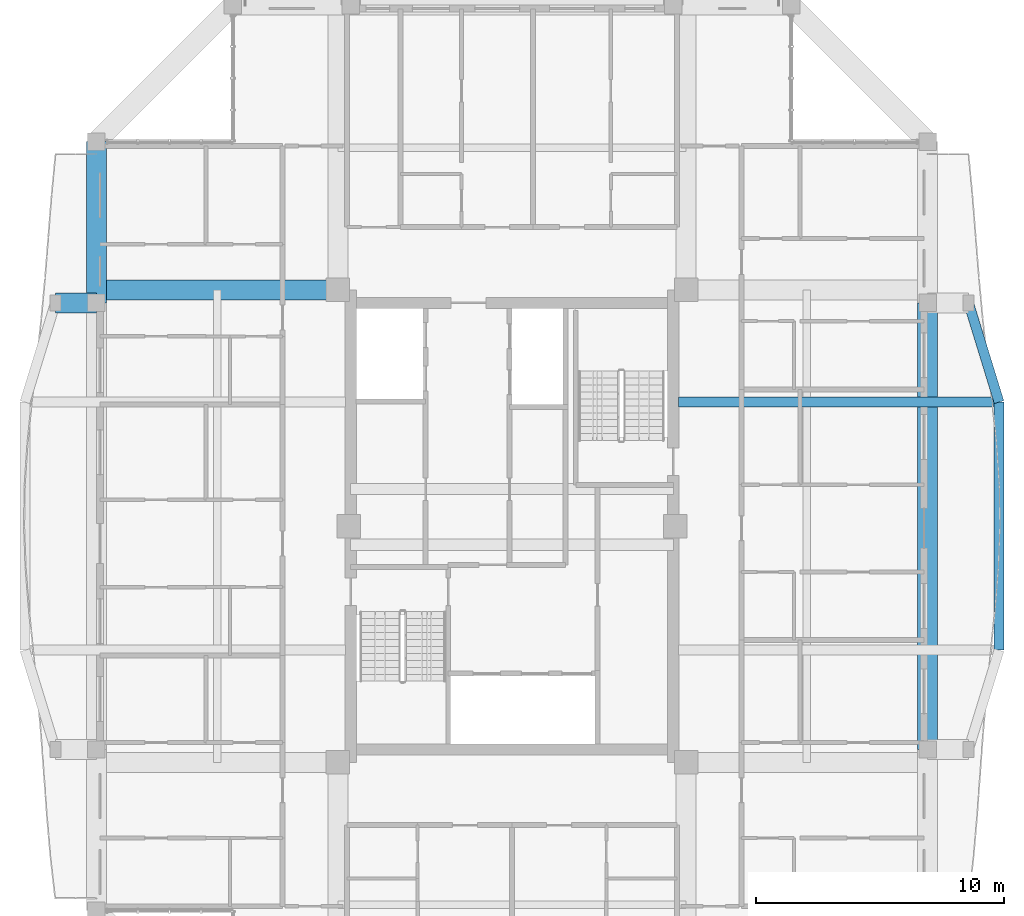
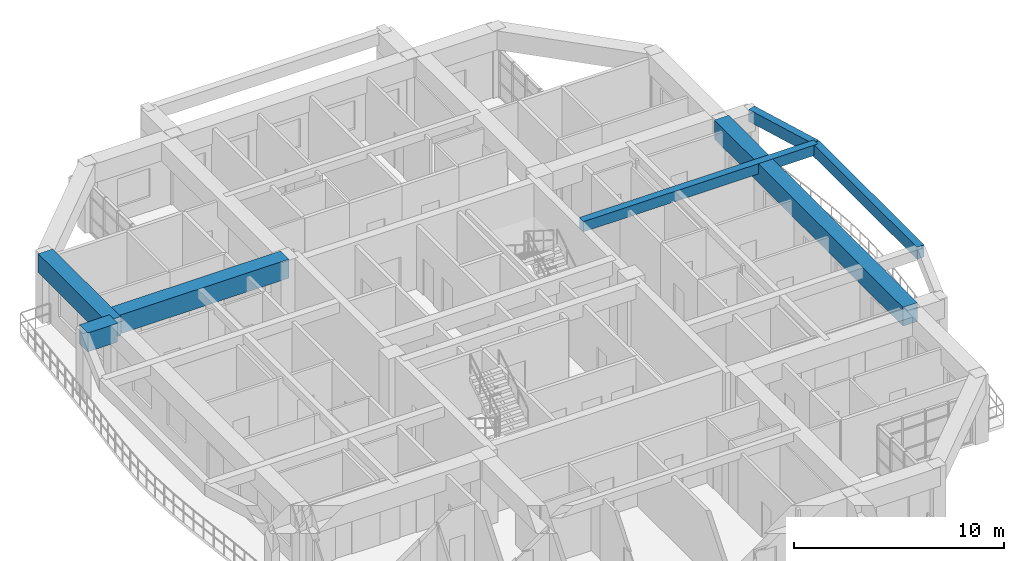
# One storey, part 7 of 27: 7 beams.
"""IFC4 building model written with IfcOpenShell, lengths in metres."""

from ifc_helpers import new_model, si_unit, direction, frame, origin, origin_2d, place, context, subcontext, project, spatial, rectangle, extrude, source, transform, mapped, material, material_profile, profile_set, type_object, element, save


model = new_model("IFC4")

# Units and contexts
model_context = context("Model", 3, precision=1e-05, world=origin(), true_north=direction((0.0, 1.0)))
body_context = subcontext(model_context, "Body", "Model", "MODEL_VIEW")
ifc_project = project(units=[si_unit("LENGTHUNIT", "METRE"), si_unit("AREAUNIT", "SQUARE_METRE"), si_unit("VOLUMEUNIT", "CUBIC_METRE"), si_unit("PLANEANGLEUNIT", "RADIAN"), si_unit("MASSUNIT", "GRAM", prefix="KILO")], contexts=[model_context])

# Site, building, storey
site_placement = place(None, origin())
site = spatial("IfcSite", under=ifc_project, at=site_placement, CompositionType="ELEMENT")
building_placement = place(site_placement, origin())
building = spatial("IfcBuilding", under=site, at=building_placement, Name="Saelheon Loggia Tower", CompositionType="ELEMENT")
storey_placement = place(building_placement, frame((0.0, 0.0, 226.199951171875)))
storey = spatial("IfcBuildingStorey", under=building, at=storey_placement, Name="L70", CompositionType="ELEMENT", Elevation=226.199951171875)

# Beams
ifc_material_1 = material(Name="Concrete C50/60", Category="concrete")
ifc_material_profile_1 = material_profile(ifc_material_1, rectangle(XDim=0.800048828125, YDim=1.10009765625, at=origin_2d()), Name="RC-800x1100")
ifc_profile_set_1 = profile_set([ifc_material_profile_1], Name="Concrete C50/60")
beam_type_1 = type_object("IfcBeamType", Name="Beam_PerimSetback_RC800x1100", PredefinedType="BEAM", material=ifc_profile_set_1)
shared_shape_1 = source(origin(), body_context, "Body", "SweptSolid", [
    extrude(rectangle(XDim=0.800048828125, YDim=1.10009765625, at=origin_2d()), origin(), (0.0, 0.0, 1.0), 18.0),
])
beam_1_placement = place(storey_placement, frame((54.75, 18.0, 3.35009765625), z_axis=(0.0, 1.0, 0.0), x_axis=(-1.0, 0.0, 0.0)))
element("IfcBeam", 1, at=beam_1_placement, inside=storey, type_object=beam_type_1, Name="L70 Perimeter Frame Girder 06", PredefinedType="BEAM", context=body_context, shape_type="MappedRepresentation", body=[
    mapped(shared_shape_1, transform((0.0, 0.0, 0.0), scale=1.0)),
])
shared_shape_2 = source(origin(), body_context, "Body", "SweptSolid", [
    extrude(rectangle(XDim=0.800048828125, YDim=1.10009765625, at=origin_2d()), origin(), (0.0, 0.0, 1.0), 1.64990234375),
])
beam_2_placement = place(storey_placement, frame((21.25, 36.0, 3.35009765625), z_axis=(-1.0, 0.0, 0.0), x_axis=(0.0, -1.0, 0.0)))
element("IfcBeam", 2, at=beam_2_placement, inside=storey, type_object=beam_type_1, Name="L70 Loggia Frame Tie Beam LP-W2", PredefinedType="BEAM", context=body_context, shape_type="MappedRepresentation", body=[
    mapped(shared_shape_2, transform((0.0, 0.0, 0.0), scale=1.0)),
])
ifc_material_2 = material(Name="Precast Concrete C45/55", Category="concrete")
ifc_material_profile_2 = material_profile(ifc_material_2, rectangle(XDim=0.39990234375, YDim=0.699951171875, at=origin_2d()), Name="RC-400x700")
ifc_profile_set_2 = profile_set([ifc_material_profile_2], Name="Precast Concrete C45/55")
beam_type_2 = type_object("IfcBeamType", Name="Beam_LoggiaSpandrel_RC400x700", PredefinedType="SPANDREL", material=ifc_profile_set_2)
shared_shape_3 = source(origin(), body_context, "Body", "SweptSolid", [
    extrude(rectangle(XDim=0.39990234375, YDim=0.699951171875, at=origin_2d()), origin(), (0.0, 0.0, 1.0), 4.184814453125),
])
beam_3_placement = place(storey_placement, frame((57.6298828125, 32.0, 3.550048828125), z_axis=(-0.293913664135, 0.955831971653, 0.0), x_axis=(-0.955831971653, -0.293913664135, 0.0)))
element("IfcBeam", 3, at=beam_3_placement, inside=storey, type_object=beam_type_2, Name="L70 Curved Loggia Spandrel E 3", PredefinedType="SPANDREL", context=body_context, shape_type="MappedRepresentation", body=[
    mapped(shared_shape_3, transform((0.0, 0.0, 0.0), scale=1.0)),
])
shared_shape_4 = source(origin(), body_context, "Body", "SweptSolid", [
    extrude(rectangle(XDim=0.39990234375, YDim=0.699951171875, at=origin_2d()), origin(), (0.0, 0.0, 1.0), 10.0),
])
beam_4_placement = place(storey_placement, frame((57.6298828125, 22.0, 3.550048828125), z_axis=(0.0, 1.0, 0.0), x_axis=(-1.0, 0.0, 0.0)))
element("IfcBeam", 4, at=beam_4_placement, inside=storey, type_object=beam_type_2, Name="L70 Curved Loggia Spandrel E 2", PredefinedType="SPANDREL", context=body_context, shape_type="MappedRepresentation", body=[
    mapped(shared_shape_4, transform((0.0, 0.0, 0.0), scale=1.0)),
])
shared_shape_5 = source(origin(), body_context, "Body", "SweptSolid", [
    extrude(rectangle(XDim=0.800048828125, YDim=1.10009765625, at=origin_2d()), origin(), (0.0, 0.0, 1.0), 6.5),
])
beam_5_placement = place(storey_placement, frame((21.25, 42.5, 3.35009765625), z_axis=(0.0, -1.0, 0.0), x_axis=(1.0, 0.0, 0.0)))
element("IfcBeam", 5, at=beam_5_placement, inside=storey, type_object=beam_type_1, Name="L70 Perimeter Frame Girder 13", PredefinedType="BEAM", context=body_context, shape_type="MappedRepresentation", body=[
    mapped(shared_shape_5, transform((0.0, 0.0, 0.0), scale=1.0)),
])
ifc_material_profile_3 = material_profile(ifc_material_2, rectangle(XDim=0.39990234375, YDim=0.60009765625, at=origin_2d()), Name="RC-400x600")
ifc_profile_set_3 = profile_set([ifc_material_profile_3], Name="Precast Concrete C45/55")
beam_type_3 = type_object("IfcBeamType", Name="Beam_LoggiaTie_RC400x600", PredefinedType="BEAM", material=ifc_profile_set_3)
shared_shape_6 = source(origin(), body_context, "Body", "SweptSolid", [
    extrude(rectangle(XDim=0.39990234375, YDim=0.60009765625, at=origin_2d()), origin(), (0.0, 0.0, 1.0), 12.909912109375),
])
beam_6_placement = place(storey_placement, frame((44.719970703125, 32.0, 3.60009765625), z_axis=(1.0, 0.0, 0.0), x_axis=(0.0, 1.0, 0.0)))
element("IfcBeam", 6, at=beam_6_placement, inside=storey, type_object=beam_type_3, Name="L70 Curved Facade Outrigger Beam E 2", PredefinedType="BEAM", context=body_context, shape_type="MappedRepresentation", body=[
    mapped(shared_shape_6, transform((0.0, 0.0, 0.0), scale=1.0)),
])
ifc_material_profile_4 = material_profile(ifc_material_1, rectangle(XDim=0.800048828125, YDim=1.10009765625, at=origin_2d()), Name="RC-800x1100")
ifc_profile_set_4 = profile_set([ifc_material_profile_4], Name="Concrete C50/60")
beam_type_4 = type_object("IfcBeamType", Name="Beam_SetbackTransfer_RC800x1100", PredefinedType="BEAM", material=ifc_profile_set_4)
shared_shape_7 = source(origin(), body_context, "Body", "SweptSolid", [
    extrude(rectangle(XDim=0.800048828125, YDim=1.10009765625, at=origin_2d()), origin(), (0.0, 0.0, 1.0), 9.72998046875),
])
beam_7_placement = place(storey_placement, frame((30.97998046875, 36.52001953125, 3.35009765625), z_axis=(-1.0, 0.0, 0.0), x_axis=(0.0, -1.0, 0.0)))
element("IfcBeam", 7, at=beam_7_placement, inside=storey, type_object=beam_type_4, Name="L70 Radial Floor Girder RAD-NW-W", PredefinedType="BEAM", context=body_context, shape_type="MappedRepresentation", body=[
    mapped(shared_shape_7, transform((0.0, 0.0, 0.0), scale=1.0)),
])

save(model, "model.ifc")
